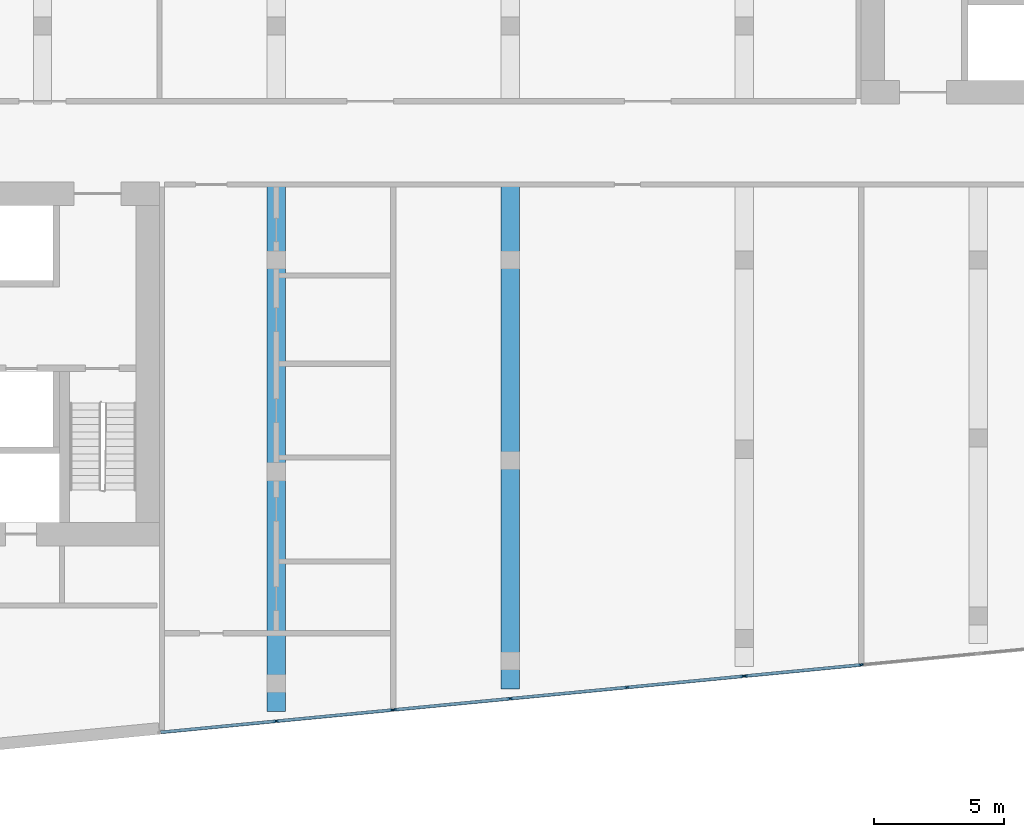
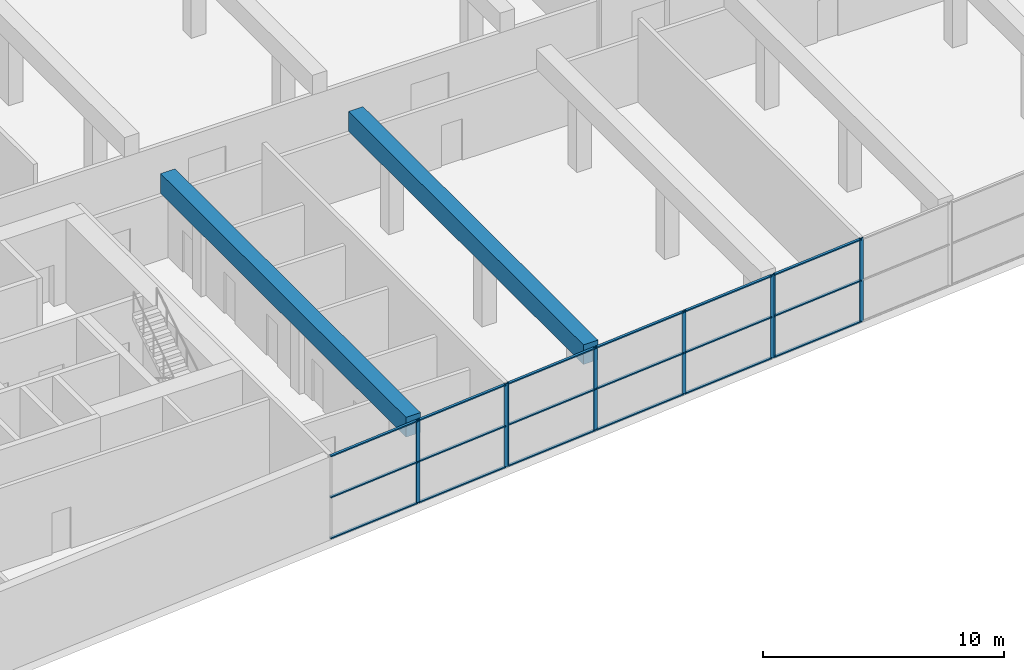
# One storey, part 4 of 21: 26 members, 2 beams, 3 elements without a shape of their own.
"""IFC4 building model written with IfcOpenShell, lengths in metres."""

from ifc_helpers import new_model, si_unit, direction, frame, origin, origin_2d, place, context, subcontext, project, spatial, rectangle, extrude, material, material_profile, profile_set, type_object, element, aggregate, save


model = new_model("IFC4")

# Units and contexts
model_context = context("Model", 3, precision=1e-05, world=origin(), true_north=direction((0.0, 1.0)))
body_context = subcontext(model_context, "Body", "Model", "MODEL_VIEW")
ifc_project = project(units=[si_unit("LENGTHUNIT", "METRE"), si_unit("AREAUNIT", "SQUARE_METRE"), si_unit("VOLUMEUNIT", "CUBIC_METRE"), si_unit("PLANEANGLEUNIT", "RADIAN"), si_unit("MASSUNIT", "GRAM", prefix="KILO")], contexts=[model_context])

# Site, building, storey
site_placement = place(None, origin())
site = spatial("IfcSite", under=ifc_project, at=site_placement, CompositionType="ELEMENT")
building_placement = place(site_placement, origin())
building = spatial("IfcBuilding", under=site, at=building_placement, Name="Kajstack Hotel Tower", CompositionType="ELEMENT")
storey_placement = place(building_placement, frame((0.0, 0.0, 162.39990234375)))
storey = spatial("IfcBuildingStorey", under=building, at=storey_placement, Name="L37", CompositionType="ELEMENT", Elevation=162.39990234375)

# Curtain wall, members
ifc_material_1 = material(Name="Aluminium-framed curtain wall, insulated glass with fritted edge", Category="aluminium")
curtain_wall_type = type_object("IfcCurtainWallType", Name="CW-SPA", PredefinedType="NOTDEFINED", material=ifc_material_1)
curtain_wall_1_placement = place(storey_placement, origin())
curtain_wall_1 = element("IfcCurtainWall", 1, at=curtain_wall_1_placement, inside=storey, type_object=curtain_wall_type, Name="Curtain wall CU7 L37-04-02-0", PredefinedType="NOTDEFINED")
ifc_material_2 = material(Name="Aluminium", Category="aluminium")
ifc_material_profile_1 = material_profile(ifc_material_2, rectangle(XDim=0.06005859375, YDim=0.179931640625, at=origin_2d()), Name="Aluminium mullion 60 x 180")
ifc_profile_set_1 = profile_set([ifc_material_profile_1], Name="Aluminium")
member_type_1 = type_object("IfcMemberType", Name="CW-M-SPA", PredefinedType="MULLION", material=ifc_profile_set_1)
member_1_placement = place(storey_placement, frame((-9.007080078125, -22.24462890625, 0.0), z_axis=(0.0, 0.0, 1.0), x_axis=(-0.095845383606, 0.99539623389, 0.0)))
member_1 = element("IfcMember", 2, at=member_1_placement, type_object=member_type_1, Name="CU7 mullion 2", PredefinedType="MULLION", context=body_context, shape_type="SweptSolid", body=[
    extrude(rectangle(XDim=0.06005859375, YDim=0.179931640625, at=origin_2d()), origin(), (0.0, 0.0, 1.0), 4.22021484375),
])
member_2_placement = place(storey_placement, frame((-4.537109375, -21.814208984375, 0.0), z_axis=(0.0, 0.0, 1.0), x_axis=(-0.095845383606, 0.99539623389, 0.0)))
member_2 = element("IfcMember", 3, at=member_2_placement, type_object=member_type_1, Name="CU7 mullion 3", PredefinedType="MULLION", context=body_context, shape_type="SweptSolid", body=[
    extrude(rectangle(XDim=0.06005859375, YDim=0.179931640625, at=origin_2d()), origin(), (0.0, 0.0, 1.0), 4.22021484375),
])

curtain_wall_2_placement = place(storey_placement, origin())
curtain_wall_2 = element("IfcCurtainWall", 4, at=curtain_wall_2_placement, inside=storey, type_object=curtain_wall_type, Name="Curtain wall CU7 L37-04-02-1", PredefinedType="NOTDEFINED")
member_3_placement = place(storey_placement, frame((-4.477294921875, -21.808349609375, 0.0), z_axis=(0.0, 0.0, 1.0), x_axis=(-0.095845372418, 0.995396234967, 0.0)))
member_3 = element("IfcMember", 5, at=member_3_placement, type_object=member_type_1, Name="CU7 mullion 1", PredefinedType="MULLION", context=body_context, shape_type="SweptSolid", body=[
    extrude(rectangle(XDim=0.06005859375, YDim=0.179931640625, at=origin_2d()), origin(), (0.0, 0.0, 1.0), 4.22021484375),
])
member_4_placement = place(storey_placement, frame((-0.007080078125, -21.3779296875, 0.0), z_axis=(0.0, 0.0, 1.0), x_axis=(-0.095845372418, 0.995396234967, 0.0)))
member_4 = element("IfcMember", 6, at=member_4_placement, type_object=member_type_1, Name="CU7 mullion 2", PredefinedType="MULLION", context=body_context, shape_type="SweptSolid", body=[
    extrude(rectangle(XDim=0.06005859375, YDim=0.179931640625, at=origin_2d()), origin(), (0.0, 0.0, 1.0), 4.22021484375),
])
member_5_placement = place(storey_placement, frame((4.492919921875, -20.94482421875, 0.0), z_axis=(0.0, 0.0, 1.0), x_axis=(-0.095845372418, 0.995396234967, 0.0)))
member_5 = element("IfcMember", 7, at=member_5_placement, type_object=member_type_1, Name="CU7 mullion 3", PredefinedType="MULLION", context=body_context, shape_type="SweptSolid", body=[
    extrude(rectangle(XDim=0.06005859375, YDim=0.179931640625, at=origin_2d()), origin(), (0.0, 0.0, 1.0), 4.22021484375),
])
member_6_placement = place(storey_placement, frame((8.962890625, -20.514404296875, 0.0), z_axis=(0.0, 0.0, 1.0), x_axis=(-0.095845372418, 0.995396234967, 0.0)))
member_6 = element("IfcMember", 8, at=member_6_placement, type_object=member_type_1, Name="CU7 mullion 4", PredefinedType="MULLION", context=body_context, shape_type="SweptSolid", body=[
    extrude(rectangle(XDim=0.06005859375, YDim=0.179931640625, at=origin_2d()), origin(), (0.0, 0.0, 1.0), 4.22021484375),
])

curtain_wall_3_placement = place(storey_placement, origin())
curtain_wall_3 = element("IfcCurtainWall", 9, at=curtain_wall_3_placement, inside=storey, type_object=curtain_wall_type, Name="Curtain wall CU7 L37-04-02-2", PredefinedType="NOTDEFINED")
member_7_placement = place(storey_placement, frame((9.022705078125, -20.508544921875, 0.0), z_axis=(0.0, 0.0, 1.0), x_axis=(-0.095845342936, 0.995396237806, 0.0)))
member_7 = element("IfcMember", 10, at=member_7_placement, type_object=member_type_1, Name="CU7 mullion 1", PredefinedType="MULLION", context=body_context, shape_type="SweptSolid", body=[
    extrude(rectangle(XDim=0.06005859375, YDim=0.179931640625, at=origin_2d()), origin(), (0.0, 0.0, 1.0), 4.22021484375),
])
member_8_placement = place(storey_placement, frame((13.49267578125, -20.078125, 0.0), z_axis=(0.0, 0.0, 1.0), x_axis=(-0.095845342936, 0.995396237806, 0.0)))
member_8 = element("IfcMember", 11, at=member_8_placement, type_object=member_type_1, Name="CU7 mullion 2", PredefinedType="MULLION", context=body_context, shape_type="SweptSolid", body=[
    extrude(rectangle(XDim=0.06005859375, YDim=0.179931640625, at=origin_2d()), origin(), (0.0, 0.0, 1.0), 4.22021484375),
])

# Member
ifc_material_profile_2 = material_profile(ifc_material_2, rectangle(XDim=0.1201171875, YDim=0.06005859375, at=origin_2d()), Name="Aluminium transom 120 x 60")
ifc_profile_set_2 = profile_set([ifc_material_profile_2], Name="Aluminium")
member_type_2 = type_object("IfcMemberType", Name="CW-T-SPA", PredefinedType="USERDEFINED", material=ifc_profile_set_2)
member_9_placement = place(storey_placement, frame((-13.447509765625, -22.672119140625, 0.030029296875), z_axis=(0.995398624916, 0.095820548504, 0.0), x_axis=(-0.095820548504, 0.995398624916, 0.0)))
member_9 = element("IfcMember", 12, at=member_9_placement, type_object=member_type_2, Name="CU7 transom 1.1", ObjectType="TRANSOM", PredefinedType="USERDEFINED", context=body_context, shape_type="SweptSolid", body=[
    extrude(rectangle(XDim=0.1201171875, YDim=0.06005859375, at=origin_2d()), origin(), (0.0, 0.0, 1.0), 4.430908203125),
])

member_10_placement = place(storey_placement, frame((-13.447509765625, -22.672119140625, 2.110107421875), z_axis=(0.995398624916, 0.095820548504, 0.0), x_axis=(-0.095820548504, 0.995398624916, 0.0)))
member_10 = element("IfcMember", 13, at=member_10_placement, type_object=member_type_2, Name="CU7 transom 1.2", ObjectType="TRANSOM", PredefinedType="USERDEFINED", context=body_context, shape_type="SweptSolid", body=[
    extrude(rectangle(XDim=0.1201171875, YDim=0.06005859375, at=origin_2d()), origin(), (0.0, 0.0, 1.0), 4.430908203125),
])

member_11_placement = place(storey_placement, frame((-13.447509765625, -22.672119140625, 4.190185546875), z_axis=(0.995398624916, 0.095820548504, 0.0), x_axis=(-0.095820548504, 0.995398624916, 0.0)))
member_11 = element("IfcMember", 14, at=member_11_placement, type_object=member_type_2, Name="CU7 transom 1.3", ObjectType="TRANSOM", PredefinedType="USERDEFINED", context=body_context, shape_type="SweptSolid", body=[
    extrude(rectangle(XDim=0.1201171875, YDim=0.06005859375, at=origin_2d()), origin(), (0.0, 0.0, 1.0), 4.430908203125),
])

member_12_placement = place(storey_placement, frame((-8.977294921875, -22.24169921875, 0.030029296875), z_axis=(0.995398624916, 0.095820548504, 0.0), x_axis=(-0.095820548504, 0.995398624916, 0.0)))
member_12 = element("IfcMember", 15, at=member_12_placement, type_object=member_type_2, Name="CU7 transom 2.1", ObjectType="TRANSOM", PredefinedType="USERDEFINED", context=body_context, shape_type="SweptSolid", body=[
    extrude(rectangle(XDim=0.1201171875, YDim=0.06005859375, at=origin_2d()), origin(), (0.0, 0.0, 1.0), 4.430908203125),
])

member_13_placement = place(storey_placement, frame((-8.977294921875, -22.24169921875, 2.110107421875), z_axis=(0.995398624916, 0.095820548504, 0.0), x_axis=(-0.095820548504, 0.995398624916, 0.0)))
member_13 = element("IfcMember", 16, at=member_13_placement, type_object=member_type_2, Name="CU7 transom 2.2", ObjectType="TRANSOM", PredefinedType="USERDEFINED", context=body_context, shape_type="SweptSolid", body=[
    extrude(rectangle(XDim=0.1201171875, YDim=0.06005859375, at=origin_2d()), origin(), (0.0, 0.0, 1.0), 4.430908203125),
])

member_14_placement = place(storey_placement, frame((-8.977294921875, -22.24169921875, 4.190185546875), z_axis=(0.995398624916, 0.095820548504, 0.0), x_axis=(-0.095820548504, 0.995398624916, 0.0)))
member_14 = element("IfcMember", 17, at=member_14_placement, type_object=member_type_2, Name="CU7 transom 2.3", ObjectType="TRANSOM", PredefinedType="USERDEFINED", context=body_context, shape_type="SweptSolid", body=[
    extrude(rectangle(XDim=0.1201171875, YDim=0.06005859375, at=origin_2d()), origin(), (0.0, 0.0, 1.0), 4.430908203125),
])

aggregate(curtain_wall_1, [member_1, member_2, member_9, member_10, member_11, member_12, member_13, member_14])

member_15_placement = place(storey_placement, frame((-4.447509765625, -21.8056640625, 0.030029296875), z_axis=(0.995393367938, 0.095875143106, 0.0), x_axis=(-0.095875143106, 0.995393367938, 0.0)))
member_15 = element("IfcMember", 18, at=member_15_placement, type_object=member_type_2, Name="CU7 transom 1.1", ObjectType="TRANSOM", PredefinedType="USERDEFINED", context=body_context, shape_type="SweptSolid", body=[
    extrude(rectangle(XDim=0.1201171875, YDim=0.06005859375, at=origin_2d()), origin(), (0.0, 0.0, 1.0), 4.430908203125),
])

member_16_placement = place(storey_placement, frame((-4.447509765625, -21.8056640625, 2.110107421875), z_axis=(0.995393367938, 0.095875143106, 0.0), x_axis=(-0.095875143106, 0.995393367938, 0.0)))
member_16 = element("IfcMember", 19, at=member_16_placement, type_object=member_type_2, Name="CU7 transom 1.2", ObjectType="TRANSOM", PredefinedType="USERDEFINED", context=body_context, shape_type="SweptSolid", body=[
    extrude(rectangle(XDim=0.1201171875, YDim=0.06005859375, at=origin_2d()), origin(), (0.0, 0.0, 1.0), 4.430908203125),
])

member_17_placement = place(storey_placement, frame((-4.447509765625, -21.8056640625, 4.190185546875), z_axis=(0.995393367938, 0.095875143106, 0.0), x_axis=(-0.095875143106, 0.995393367938, 0.0)))
member_17 = element("IfcMember", 20, at=member_17_placement, type_object=member_type_2, Name="CU7 transom 1.3", ObjectType="TRANSOM", PredefinedType="USERDEFINED", context=body_context, shape_type="SweptSolid", body=[
    extrude(rectangle(XDim=0.1201171875, YDim=0.06005859375, at=origin_2d()), origin(), (0.0, 0.0, 1.0), 4.430908203125),
])

member_18_placement = place(storey_placement, frame((0.022705078125, -21.375244140625, 0.030029296875), z_axis=(0.995392066753, 0.095888651287, 0.0), x_axis=(-0.095888651287, 0.995392066753, 0.0)))
member_18 = element("IfcMember", 21, at=member_18_placement, type_object=member_type_2, Name="CU7 transom 2.1", ObjectType="TRANSOM", PredefinedType="USERDEFINED", context=body_context, shape_type="SweptSolid", body=[
    extrude(rectangle(XDim=0.1201171875, YDim=0.06005859375, at=origin_2d()), origin(), (0.0, 0.0, 1.0), 4.460693359375),
])

member_19_placement = place(storey_placement, frame((0.022705078125, -21.375244140625, 2.110107421875), z_axis=(0.995392066753, 0.095888651287, 0.0), x_axis=(-0.095888651287, 0.995392066753, 0.0)))
member_19 = element("IfcMember", 22, at=member_19_placement, type_object=member_type_2, Name="CU7 transom 2.2", ObjectType="TRANSOM", PredefinedType="USERDEFINED", context=body_context, shape_type="SweptSolid", body=[
    extrude(rectangle(XDim=0.1201171875, YDim=0.06005859375, at=origin_2d()), origin(), (0.0, 0.0, 1.0), 4.460693359375),
])

member_20_placement = place(storey_placement, frame((0.022705078125, -21.375244140625, 4.190185546875), z_axis=(0.995392066753, 0.095888651287, 0.0), x_axis=(-0.095888651287, 0.995392066753, 0.0)))
member_20 = element("IfcMember", 23, at=member_20_placement, type_object=member_type_2, Name="CU7 transom 2.3", ObjectType="TRANSOM", PredefinedType="USERDEFINED", context=body_context, shape_type="SweptSolid", body=[
    extrude(rectangle(XDim=0.1201171875, YDim=0.06005859375, at=origin_2d()), origin(), (0.0, 0.0, 1.0), 4.460693359375),
])

member_21_placement = place(storey_placement, frame((4.522705078125, -20.94189453125, 0.030029296875), z_axis=(0.995393367938, 0.095875143106, 0.0), x_axis=(-0.095875143106, 0.995393367938, 0.0)))
member_21 = element("IfcMember", 24, at=member_21_placement, type_object=member_type_2, Name="CU7 transom 3.1", ObjectType="TRANSOM", PredefinedType="USERDEFINED", context=body_context, shape_type="SweptSolid", body=[
    extrude(rectangle(XDim=0.1201171875, YDim=0.06005859375, at=origin_2d()), origin(), (0.0, 0.0, 1.0), 4.430908203125),
])

member_22_placement = place(storey_placement, frame((4.522705078125, -20.94189453125, 2.110107421875), z_axis=(0.995393367938, 0.095875143106, 0.0), x_axis=(-0.095875143106, 0.995393367938, 0.0)))
member_22 = element("IfcMember", 25, at=member_22_placement, type_object=member_type_2, Name="CU7 transom 3.2", ObjectType="TRANSOM", PredefinedType="USERDEFINED", context=body_context, shape_type="SweptSolid", body=[
    extrude(rectangle(XDim=0.1201171875, YDim=0.06005859375, at=origin_2d()), origin(), (0.0, 0.0, 1.0), 4.430908203125),
])

member_23_placement = place(storey_placement, frame((4.522705078125, -20.94189453125, 4.190185546875), z_axis=(0.995393367938, 0.095875143106, 0.0), x_axis=(-0.095875143106, 0.995393367938, 0.0)))
member_23 = element("IfcMember", 26, at=member_23_placement, type_object=member_type_2, Name="CU7 transom 3.3", ObjectType="TRANSOM", PredefinedType="USERDEFINED", context=body_context, shape_type="SweptSolid", body=[
    extrude(rectangle(XDim=0.1201171875, YDim=0.06005859375, at=origin_2d()), origin(), (0.0, 0.0, 1.0), 4.430908203125),
])

aggregate(curtain_wall_2, [member_3, member_4, member_5, member_6, member_15, member_16, member_17, member_18, member_19, member_20, member_21, member_22, member_23])

member_24_placement = place(storey_placement, frame((9.052490234375, -20.505615234375, 0.030029296875), z_axis=(0.995398624916, 0.095820548504, 0.0), x_axis=(-0.095820548504, 0.995398624916, 0.0)))
member_24 = element("IfcMember", 27, at=member_24_placement, type_object=member_type_2, Name="CU7 transom 1.1", ObjectType="TRANSOM", PredefinedType="USERDEFINED", context=body_context, shape_type="SweptSolid", body=[
    extrude(rectangle(XDim=0.1201171875, YDim=0.06005859375, at=origin_2d()), origin(), (0.0, 0.0, 1.0), 4.430908203125),
])

member_25_placement = place(storey_placement, frame((9.052490234375, -20.505615234375, 2.110107421875), z_axis=(0.995398624916, 0.095820548504, 0.0), x_axis=(-0.095820548504, 0.995398624916, 0.0)))
member_25 = element("IfcMember", 28, at=member_25_placement, type_object=member_type_2, Name="CU7 transom 1.2", ObjectType="TRANSOM", PredefinedType="USERDEFINED", context=body_context, shape_type="SweptSolid", body=[
    extrude(rectangle(XDim=0.1201171875, YDim=0.06005859375, at=origin_2d()), origin(), (0.0, 0.0, 1.0), 4.430908203125),
])

member_26_placement = place(storey_placement, frame((9.052490234375, -20.505615234375, 4.190185546875), z_axis=(0.995398624916, 0.095820548504, 0.0), x_axis=(-0.095820548504, 0.995398624916, 0.0)))
member_26 = element("IfcMember", 29, at=member_26_placement, type_object=member_type_2, Name="CU7 transom 1.3", ObjectType="TRANSOM", PredefinedType="USERDEFINED", context=body_context, shape_type="SweptSolid", body=[
    extrude(rectangle(XDim=0.1201171875, YDim=0.06005859375, at=origin_2d()), origin(), (0.0, 0.0, 1.0), 4.430908203125),
])

aggregate(curtain_wall_3, [member_7, member_8, member_24, member_25, member_26])

# Beams
ifc_material_3 = material(Name="Concrete C60/75", Category="concrete")
ifc_material_profile_3 = material_profile(ifc_material_3, rectangle(XDim=0.699951171875, YDim=1.0, at=origin_2d()), Name="RC 700x1000")
ifc_profile_set_3 = profile_set([ifc_material_profile_3], Name="Concrete C60/75")
beam_type = type_object("IfcBeamType", Name="TG3 RC 700x1000 C60/75", PredefinedType="BEAM", material=ifc_profile_set_3)
beam_1_placement = place(storey_placement, frame((-9.0, -21.8671875, 3.72021484375), z_axis=(0.0, 1.0, 0.0), x_axis=(-1.0, 0.0, 0.0)))
element("IfcBeam", 30, at=beam_1_placement, inside=storey, type_object=beam_type, Name="S-girder-L37--9p0-1", PredefinedType="BEAM", context=body_context, shape_type="SweptSolid", body=[
    extrude(rectangle(XDim=0.699951171875, YDim=1.0, at=origin_2d()), origin(), (0.0, 0.0, 1.0), 20.3671875),
])
beam_2_placement = place(storey_placement, frame((0.0, -21.00048828125, 3.72021484375), z_axis=(0.0, 1.0, 0.0), x_axis=(-1.0, 0.0, 0.0)))
element("IfcBeam", 31, at=beam_2_placement, inside=storey, type_object=beam_type, Name="S-girder-L37-+0p0-1", PredefinedType="BEAM", context=body_context, shape_type="SweptSolid", body=[
    extrude(rectangle(XDim=0.699951171875, YDim=1.0, at=origin_2d()), origin(), (0.0, 0.0, 1.0), 19.50048828125),
])

save(model, "model.ifc")
